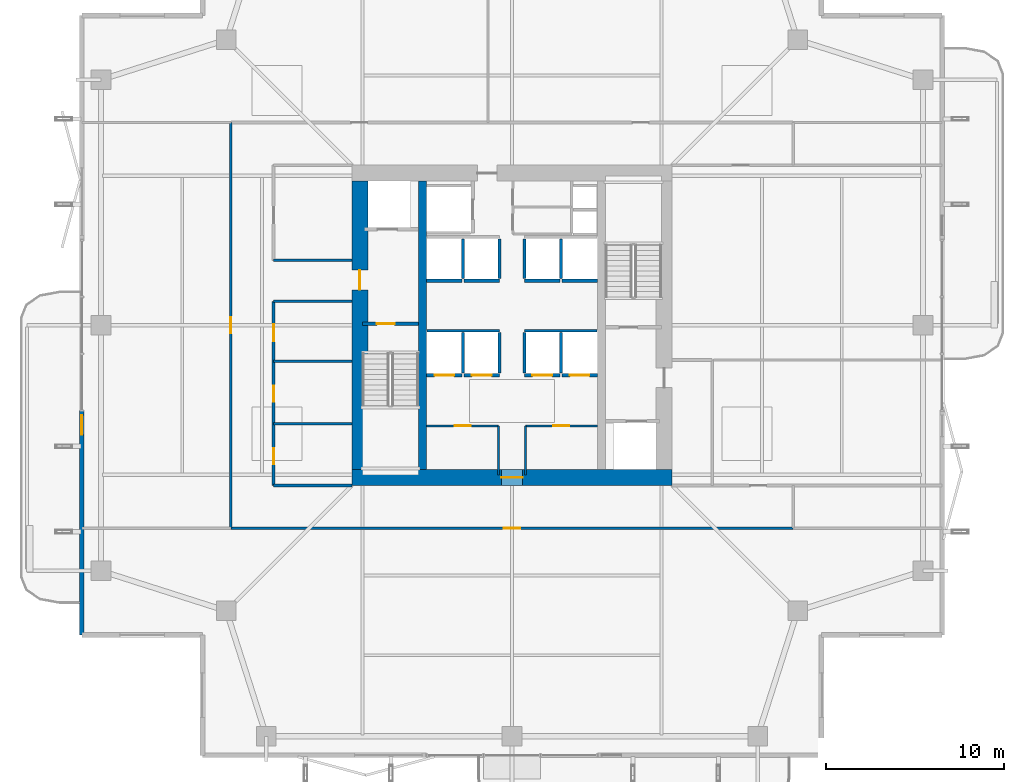
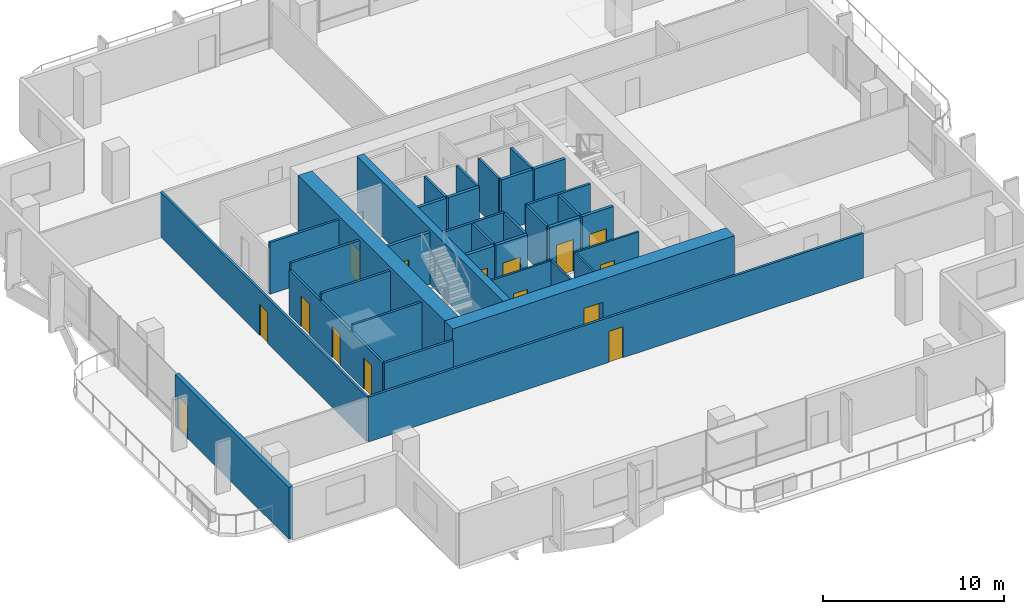
# One storey, part 18 of 25: 35 walls, 15 doors, 15 openings.
"""IFC4 building model written with IfcOpenShell, lengths in metres."""

import ifcopenshell
import ifcopenshell.guid

model = None  # the IFC model being written
_history = None  # IfcOwnerHistory: only IFC2X3 demands one
_inside = {}  # id of a spatial element -> (the spatial element, [elements in it])
_under = {}  # id of a project, library or spatial element -> (it, [spatial elements below it])
_declared = {}  # id of a project -> (the project, [libraries it declares])
_typed = {}  # id of a type object -> (the type object, [elements of that type])
_made_of = {}  # id of a material, layer set ... -> (it, [elements and type objects made of it])


def new_model(schema):
    """Start an empty IFC model of exactly this schema.

    Asked for "IFC4X3", IfcOpenShell would pick the latest addendum, in which some entities
    have other attributes; the version numbers below select the first issue.
    IFC2X3 requires an IfcOwnerHistory on every rooted entity: one is made here for all.
    """
    global model, _history
    if schema == "IFC4X3":
        model = ifcopenshell.file(schema_version=(4, 3, 0, 0))
    else:
        model = ifcopenshell.file(schema=schema)
    _inside.clear()
    _under.clear()
    _declared.clear()
    _typed.clear()
    _made_of.clear()
    _history = None
    if model.schema == "IFC2X3":
        org = make("IfcOrganization", Name="unknown")
        user = make(
            "IfcPersonAndOrganization",
            ThePerson=make("IfcPerson", FamilyName="unknown"),
            TheOrganization=org,
        )
        app = make(
            "IfcApplication",
            ApplicationDeveloper=org,
            Version="unknown",
            ApplicationFullName="unknown",
            ApplicationIdentifier="unknown",
        )
        _history = make(
            "IfcOwnerHistory",
            OwningUser=user,
            OwningApplication=app,
            ChangeAction="ADDED",
            CreationDate=0,
        )
    return model


def make(cls, **values):
    """One entity of the class cls with the attributes given. An attribute that is None is left unset."""
    return model.create_entity(
        cls, **{name: value for name, value in values.items() if value is not None}
    )


def rooted(cls, **values):
    """An entity with a GlobalId (a new one), such as an element, a storey or a relation."""
    return make(cls, GlobalId=ifcopenshell.guid.new(), OwnerHistory=_history, **values)


def si_unit(unit_type, name, prefix=None):
    """IfcSIUnit, for example si_unit("LENGTHUNIT", "METRE", prefix="MILLI")."""
    return make("IfcSIUnit", UnitType=unit_type, Prefix=prefix, Name=name)


def assignment(units):
    """IfcUnitAssignment: the units of a project."""
    return None if units is None else make("IfcUnitAssignment", Units=units)


def point(xyz):
    """IfcCartesianPoint."""
    return None if xyz is None else make("IfcCartesianPoint", Coordinates=xyz)


def direction(xyz):
    """IfcDirection."""
    return None if xyz is None else make("IfcDirection", DirectionRatios=xyz)


def frame(location, z_axis=None, x_axis=None):
    """IfcAxis2Placement3D, a coordinate frame: its origin and axes. An axis left out is left unset."""
    return make(
        "IfcAxis2Placement3D",
        Location=point(location),
        Axis=direction(z_axis),
        RefDirection=direction(x_axis),
    )


def frame_2d(location, x_axis=None):
    """IfcAxis2Placement2D, a coordinate frame in the plane: its origin and x axis."""
    return make(
        "IfcAxis2Placement2D", Location=point(location), RefDirection=direction(x_axis)
    )


def origin():
    """The frame at (0, 0, 0) with its axes left unset."""
    return frame((0.0, 0.0, 0.0))


def place(relative_to, where):
    """IfcLocalPlacement: puts the frame where relative to a parent placement (None: the world)."""
    return make(
        "IfcLocalPlacement", PlacementRelTo=relative_to, RelativePlacement=where
    )


def context(
    kind, dimensions, precision=None, world=None, true_north=None, identifier=None
):
    """IfcGeometricRepresentationContext, for example the 3D "Model" context."""
    return make(
        "IfcGeometricRepresentationContext",
        ContextIdentifier=identifier,
        ContextType=kind,
        CoordinateSpaceDimension=dimensions,
        Precision=precision,
        WorldCoordinateSystem=world,
        TrueNorth=true_north,
    )


def subcontext(parent, identifier, kind, view, scale=None):
    """IfcGeometricRepresentationSubContext, for example "Body" below "Model"."""
    return make(
        "IfcGeometricRepresentationSubContext",
        ContextIdentifier=identifier,
        ContextType=kind,
        ParentContext=parent,
        TargetScale=scale,
        TargetView=view,
    )


def project(units=None, contexts=None):
    """IfcProject with its units and contexts."""
    return rooted(
        "IfcProject",
        Name="project",
        RepresentationContexts=contexts,
        UnitsInContext=assignment(units),
    )


def spatial(cls, under=None, at=None, **own):
    """A site, building, storey or space (cls), placed at a placement, below another one or the project."""
    s = rooted(cls, ObjectPlacement=at, **own)
    if under is not None:
        _under.setdefault(under.id(), (under, []))[1].append(s)
    return s


def profile(cls, at=None, kind="AREA", **sizes):
    """A parametric profile (cls). Its sizes go by their IFC names, for example OverallWidth=200.0."""
    return make(cls, ProfileType=kind, Position=at, **sizes)


def rectangle(**sizes):
    """IfcRectangleProfileDef."""
    return profile("IfcRectangleProfileDef", **sizes)


def extrude(swept, where, along, depth):
    """IfcExtrudedAreaSolid: the profile swept, set in the frame where, extruded along a direction by depth."""
    return make(
        "IfcExtrudedAreaSolid",
        SweptArea=swept,
        Position=where,
        ExtrudedDirection=direction(along),
        Depth=depth,
    )


def shape(context_of_items, identifier, shape_type, items):
    """IfcShapeRepresentation: the items that make up one representation, for example the "Body"."""
    return make(
        "IfcShapeRepresentation",
        ContextOfItems=context_of_items,
        RepresentationIdentifier=identifier,
        RepresentationType=shape_type,
        Items=items,
    )


def material(Name=None, Category=None):
    """IfcMaterial."""
    return make("IfcMaterial", Name=Name, Category=Category)


def layer(
    of_material, thickness, ventilated=None, Name=None, Category=None, Priority=None
):
    """IfcMaterialLayer: one layer of a wall or slab, of a material (None: an air gap)."""
    return make(
        "IfcMaterialLayer",
        Material=of_material,
        LayerThickness=thickness,
        IsVentilated=ventilated,
        Name=Name,
        Category=Category,
        Priority=Priority,
    )


def layer_set(layers, Name=None):
    """IfcMaterialLayerSet."""
    return make("IfcMaterialLayerSet", MaterialLayers=layers, LayerSetName=Name)


def made_of(thing, what):
    """Note that an element or type object is made of a material, layer set ...; save() writes the relation."""
    if what is not None:
        _made_of.setdefault(what.id(), (what, []))[1].append(thing)
    return thing


def type_object(cls, material=None, **own):
    """A type object (cls), such as IfcWallType, which elements share."""
    return made_of(rooted(cls, **own), material)


def element(
    cls,
    number,
    at=None,
    inside=None,
    cuts=None,
    type_object=None,
    material=None,
    context=None,
    identifier="Body",
    shape_type=None,
    held_by="IfcProductDefinitionShape",
    body=None,
    shapes=None,
    **own,
):
    """One element of the class cls, such as IfcWall. Its Tag is "e" and its number.

    at: its placement. inside: the storey or other place that contains it. cuts: it is an
    opening in that element (IfcRelVoidsElement). A single representation is given by context,
    identifier, shape_type and body (its items); several are given by shapes. held_by: the class
    of the entity that holds the representations. save() writes the other relations.
    """
    e = rooted(cls, Tag="e%d" % number, ObjectPlacement=at, **own)
    if body is not None:
        shapes = [shape(context, identifier, shape_type, body)]
    if shapes is not None:
        e.Representation = make(held_by, Representations=shapes)
    if inside is not None:
        _inside.setdefault(inside.id(), (inside, []))[1].append(e)
    if cuts is not None:
        rooted(
            "IfcRelVoidsElement", RelatingBuildingElement=cuts, RelatedOpeningElement=e
        )
    if type_object is not None:
        _typed.setdefault(type_object.id(), (type_object, []))[1].append(e)
    return made_of(e, material)


def fill(opening, filler):
    """IfcRelFillsElement: the door or window that sits in an opening."""
    return rooted(
        "IfcRelFillsElement",
        RelatingOpeningElement=opening,
        RelatedBuildingElement=filler,
    )


def aggregate(whole, parts):
    """IfcRelAggregates: a whole, such as a stair, and the parts it consists of."""
    return rooted("IfcRelAggregates", RelatingObject=whole, RelatedObjects=parts)


def save(model, path):
    """Write the relations noted so far, then the file.

    IfcRelAggregates (storeys below a building ...), IfcRelContainedInSpatialStructure (elements
    in a storey), IfcRelDefinesByType, IfcRelAssociatesMaterial and IfcRelDeclares: one each for
    every whole, place, type object, material and project.
    """
    for whole, parts in _under.values():
        aggregate(whole, parts)
    for where, things in _inside.values():
        rooted(
            "IfcRelContainedInSpatialStructure",
            RelatedElements=things,
            RelatingStructure=where,
        )
    for kind, things in _typed.values():
        rooted("IfcRelDefinesByType", RelatedObjects=things, RelatingType=kind)
    for what, things in _made_of.values():
        rooted("IfcRelAssociatesMaterial", RelatedObjects=things, RelatingMaterial=what)
    for by, libraries in _declared.values():
        rooted("IfcRelDeclares", RelatingContext=by, RelatedDefinitions=libraries)
    model.write(path)


model = new_model("IFC4")

# Units and contexts
model_context = context("Model", 3, precision=1e-05, world=origin(), true_north=direction((0.0, 1.0)))
body_context = subcontext(model_context, "Body", "Model", "MODEL_VIEW")
ifc_project = project(units=[si_unit("LENGTHUNIT", "METRE"), si_unit("AREAUNIT", "SQUARE_METRE"), si_unit("VOLUMEUNIT", "CUBIC_METRE"), si_unit("PLANEANGLEUNIT", "RADIAN"), si_unit("MASSUNIT", "GRAM", prefix="KILO")], contexts=[model_context])

# Site, building, storey
site_placement = place(None, origin())
site = spatial("IfcSite", under=ifc_project, at=site_placement, CompositionType="ELEMENT")
building_placement = place(site_placement, origin())
building = spatial("IfcBuilding", under=site, at=building_placement, Name="Belovzor Exchange Tower", CompositionType="ELEMENT")
storey_placement = place(building_placement, frame((0.0, 0.0, 175.800048828125)))
storey = spatial("IfcBuildingStorey", under=building, at=storey_placement, Name="L43", CompositionType="ELEMENT", Elevation=175.800048828125)

# Wall, opening, door
ifc_material_1 = material(Name="Fire-Rated Plasterboard on Galvanised Studs", Category="gypsum")
ifc_layer_1 = layer(ifc_material_1, 0.1201171875)
ifc_layer_set_1 = layer_set([ifc_layer_1], Name="Fire-Rated Plasterboard on Galvanised Studs")
wall_type_1 = type_object("IfcWallType", Name="Fire-Rated Double-Stud Partition Wall 120", PredefinedType="PARTITIONING", material=ifc_layer_set_1)
wall_1_placement = place(storey_placement, frame((24.0, 23.14990234375, 0.0), z_axis=(0.0, 0.0, 1.0), x_axis=(1.0, 0.0, 0.0)))
wall_1 = element("IfcWall", 1, at=wall_1_placement, inside=storey, type_object=wall_type_1, Name="W-P120F Partition Wall W-CRL-L43-WN", PredefinedType="PARTITIONING", context=body_context, shape_type="SweptSolid", body=[
    extrude(rectangle(XDim=4.050048828125, YDim=0.1201171875, at=frame_2d((2.02490234375, 0.0))), origin(), (0.0, 0.0, 1.0), 3.494873046875),
])
opening_1_placement = place(wall_1_placement, frame((1.574951171875, 0.0, 0.0)))
opening_1 = element("IfcOpeningElement", 2, at=opening_1_placement, cuts=wall_1, Name="Opening D-FD60-090", PredefinedType="OPENING", context=body_context, shape_type="SweptSolid", body=[
    extrude(rectangle(XDim=0.89990234375, YDim=2.10009765625, at=frame_2d((0.449951171875, 1.050048828125))), frame((0.0, 0.070068359375, 0.0), z_axis=(0.0, -1.0, 0.0), x_axis=(1.0, 0.0, 0.0)), (0.0, 0.0, 1.0), 0.14013671875),
])
ifc_material_2 = material(Name="Acoustic Timber Fire Leaf", Category="wood")
door_type_1 = type_object("IfcDoorType", Name="Core Service & Restroom Fire Door 900x2100", OperationType="NOTDEFINED", PredefinedType="DOOR", material=ifc_material_2)
door_1_placement = place(opening_1_placement, origin())
door_1 = element("IfcDoor", 3, at=door_1_placement, inside=storey, type_object=door_type_1, Name="D-FD60-090 Core Service & Restroom Fire Door 900x2100", OperationType="SINGLE_SWING_LEFT", OverallHeight=2.10009765625, OverallWidth=0.89990234375, PredefinedType="DOOR", context=body_context, shape_type="SweptSolid", body=[
    extrude(rectangle(XDim=0.89990234375, YDim=2.10009765625, at=frame_2d((0.449951171875, 1.050048828125))), frame((0.0, 0.02490234375, 0.0), z_axis=(0.0, -1.0, 0.0), x_axis=(1.0, 0.0, 0.0)), (0.0, 0.0, 1.0), 0.050048828125),
])
fill(opening_1, door_1)

# Wall
wall_2_placement = place(storey_placement, frame((28.050048828125, 20.39990234375, 0.0), z_axis=(0.0, 0.0, 1.0), x_axis=(0.0, 1.0, 0.0)))
element("IfcWall", 4, at=wall_2_placement, inside=storey, type_object=wall_type_1, Name="W-P120F Partition Wall W-CRL-L43-WE", PredefinedType="PARTITIONING", context=body_context, shape_type="SweptSolid", body=[
    extrude(rectangle(XDim=2.75, YDim=0.1201171875, at=frame_2d((1.375, 0.0))), origin(), (0.0, 0.0, 1.0), 3.494873046875),
])

# Wall, opening, door
wall_3_placement = place(storey_placement, frame((29.550048828125, 23.14990234375, 0.0), z_axis=(0.0, 0.0, 1.0), x_axis=(1.0, 0.0, 0.0)))
wall_3 = element("IfcWall", 5, at=wall_3_placement, inside=storey, type_object=wall_type_1, Name="W-P120F Partition Wall W-CRL-L43-EN", PredefinedType="PARTITIONING", context=body_context, shape_type="SweptSolid", body=[
    extrude(rectangle(XDim=4.050048828125, YDim=0.1201171875, at=frame_2d((2.02490234375, 0.0))), origin(), (0.0, 0.0, 1.0), 3.494873046875),
])
opening_2_placement = place(wall_3_placement, frame((1.574951171875, 0.0, 0.0)))
opening_2 = element("IfcOpeningElement", 6, at=opening_2_placement, cuts=wall_3, Name="Opening D-FD60-090", PredefinedType="OPENING", context=body_context, shape_type="SweptSolid", body=[
    extrude(rectangle(XDim=0.89990234375, YDim=2.10009765625, at=frame_2d((0.449951171875, 1.050048828125))), frame((0.0, 0.070068359375, 0.0), z_axis=(0.0, -1.0, 0.0), x_axis=(1.0, 0.0, 0.0)), (0.0, 0.0, 1.0), 0.14013671875),
])
door_2_placement = place(opening_2_placement, origin())
door_2 = element("IfcDoor", 7, at=door_2_placement, inside=storey, type_object=door_type_1, Name="D-FD60-090 Core Service & Restroom Fire Door 900x2100", OperationType="SINGLE_SWING_RIGHT", OverallHeight=2.10009765625, OverallWidth=0.89990234375, PredefinedType="DOOR", context=body_context, shape_type="SweptSolid", body=[
    extrude(rectangle(XDim=0.89990234375, YDim=2.10009765625, at=frame_2d((0.449951171875, 1.050048828125))), frame((0.0, 0.02490234375, 0.0), z_axis=(0.0, -1.0, 0.0), x_axis=(1.0, 0.0, 0.0)), (0.0, 0.0, 1.0), 0.050048828125),
])
fill(opening_2, door_2)

# Walls
wall_4_placement = place(storey_placement, frame((29.550048828125, 20.39990234375, 0.0), z_axis=(0.0, 0.0, 1.0), x_axis=(0.0, 1.0, 0.0)))
element("IfcWall", 8, at=wall_4_placement, inside=storey, type_object=wall_type_1, Name="W-P120F Partition Wall W-CRL-L43-EW", PredefinedType="PARTITIONING", context=body_context, shape_type="SweptSolid", body=[
    extrude(rectangle(XDim=2.75, YDim=0.1201171875, at=frame_2d((1.375, 0.0))), origin(), (0.0, 0.0, 1.0), 3.494873046875),
])
ifc_material_3 = material(Name="Fire-Rated Gypsum Block and Mineral Wool", Category="gypsum")
ifc_layer_2 = layer(ifc_material_3, 0.14990234375)
ifc_layer_set_2 = layer_set([ifc_layer_2], Name="Fire-Rated Gypsum Block and Mineral Wool")
wall_type_2 = type_object("IfcWallType", Name="Fire-Rated Gypsum Block Corridor Wall 150", PredefinedType="PARTITIONING", material=ifc_layer_set_2)
wall_5_placement = place(storey_placement, frame((15.39990234375, 19.800048828125, 0.0), z_axis=(0.0, 0.0, 1.0), x_axis=(1.0, 0.0, 0.0)))
element("IfcWall", 9, at=wall_5_placement, inside=storey, type_object=wall_type_2, Name="W-P150 Partition Wall W-L43-WIC-S", PredefinedType="PARTITIONING", context=body_context, shape_type="SweptSolid", body=[
    extrude(rectangle(XDim=4.400146484375, YDim=0.14990234375, at=frame_2d((2.2001953125, 0.0))), origin(), (0.0, 0.0, 1.0), 3.030029296875),
])
for number, where, z_axis, x_axis, name in (
    (10, (15.39990234375, 23.27490234375, 0.0), (0.0, 0.0, 1.0), (1.0, 0.0, 0.0), "W-P150 Partition Wall W-L43-WIC-D1"),
    (11, (15.39990234375, 26.77490234375, 0.0), (0.0, 0.0, 1.0), (1.0, 0.0, 0.0), "W-P150 Partition Wall W-L43-WIC-D2"),
    (12, (15.39990234375, 30.14990234375, 0.0), (0.0, 0.0, 1.0), (1.0, 0.0, 0.0), "W-P150 Partition Wall W-L43-WIC-N"),
    (13, (15.39990234375, 32.449951171875, 0.0), (0.0, 0.0, 1.0), (1.0, 0.0, 0.0), "W-P150 Partition Wall W-L43-CFW-N"),
):
    element("IfcWall", number, at=place(storey_placement, frame(where, z_axis=z_axis, x_axis=x_axis)), inside=storey, type_object=wall_type_2, Name=name, PredefinedType="PARTITIONING", context=body_context, shape_type="SweptSolid", body=[
        extrude(rectangle(XDim=4.400146484375, YDim=0.14990234375, at=frame_2d((2.2001953125, 0.0))), origin(), (0.0, 0.0, 1.0), 3.494873046875),
    ])

# Wall, openings, doors
wall_6_placement = place(storey_placement, frame((15.39990234375, 19.800048828125, 0.0), z_axis=(0.0, 0.0, 1.0), x_axis=(0.0, 1.0, 0.0)))
wall_6 = element("IfcWall", 14, at=wall_6_placement, inside=storey, type_object=wall_type_2, Name="W-P150 Partition Wall W-L43-WIE-S", PredefinedType="PARTITIONING", context=body_context, shape_type="SweptSolid", body=[
    extrude(rectangle(XDim=10.349853515625, YDim=0.14990234375, at=frame_2d((5.1748046875, 0.0))), origin(), (0.0, 0.0, 1.0), 3.030029296875),
])
opening_3_placement = place(wall_6_placement, frame((1.199951171875, 0.0, 0.0)))
opening_3 = element("IfcOpeningElement", 15, at=opening_3_placement, cuts=wall_6, Name="Opening D-FD60-090", PredefinedType="OPENING", context=body_context, shape_type="SweptSolid", body=[
    extrude(rectangle(XDim=0.89990234375, YDim=2.10009765625, at=frame_2d((0.449951171875, 1.050048828125))), frame((0.0, 0.0849609375, 0.0), z_axis=(0.0, -1.0, 0.0), x_axis=(1.0, 0.0, 0.0)), (0.0, 0.0, 1.0), 0.169921875),
])
opening_4_placement = place(wall_6_placement, frame((4.699951171875, 0.0, 0.0)))
opening_4 = element("IfcOpeningElement", 16, at=opening_4_placement, cuts=wall_6, Name="Opening D-FD60-090", PredefinedType="OPENING", context=body_context, shape_type="SweptSolid", body=[
    extrude(rectangle(XDim=0.89990234375, YDim=2.10009765625, at=frame_2d((0.449951171875, 1.050048828125))), frame((0.0, 0.0849609375, 0.0), z_axis=(0.0, -1.0, 0.0), x_axis=(1.0, 0.0, 0.0)), (0.0, 0.0, 1.0), 0.169921875),
])
opening_5_placement = place(wall_6_placement, frame((8.10009765625, 0.0, 0.0)))
opening_5 = element("IfcOpeningElement", 17, at=opening_5_placement, cuts=wall_6, Name="Opening D-FD60-095", PredefinedType="OPENING", context=body_context, shape_type="SweptSolid", body=[
    extrude(rectangle(XDim=0.949951171875, YDim=2.10009765625, at=frame_2d((0.47509765625, 1.050048828125))), frame((0.0, 0.0849609375, 0.0), z_axis=(0.0, -1.0, 0.0), x_axis=(1.0, 0.0, 0.0)), (0.0, 0.0, 1.0), 0.169921875),
])
ifc_material_4 = material(Name="Moisture-Resistant Timber Fire Leaf", Category="wood")
door_type_2 = type_object("IfcDoorType", Name="Accessible Restroom Wide Fire Door 950x2100", OperationType="NOTDEFINED", PredefinedType="DOOR", material=ifc_material_4)
door_3_placement = place(opening_5_placement, origin())
door_3 = element("IfcDoor", 18, at=door_3_placement, inside=storey, type_object=door_type_2, Name="D-FD60-095 Accessible Restroom Wide Fire Door 950x2100", OperationType="SINGLE_SWING_LEFT", OverallHeight=2.10009765625, OverallWidth=0.949951171875, PredefinedType="DOOR", context=body_context, shape_type="SweptSolid", body=[
    extrude(rectangle(XDim=0.949951171875, YDim=2.10009765625, at=frame_2d((0.47509765625, 1.050048828125))), frame((0.0, 0.02490234375, 0.0), z_axis=(0.0, -1.0, 0.0), x_axis=(1.0, 0.0, 0.0)), (0.0, 0.0, 1.0), 0.050048828125),
])
fill(opening_5, door_3)
door_4_placement = place(opening_3_placement, origin())
door_4 = element("IfcDoor", 19, at=door_4_placement, inside=storey, type_object=door_type_1, Name="D-FD60-090 Core Service & Restroom Fire Door 900x2100", OperationType="SINGLE_SWING_LEFT", OverallHeight=2.10009765625, OverallWidth=0.89990234375, PredefinedType="DOOR", context=body_context, shape_type="SweptSolid", body=[
    extrude(rectangle(XDim=0.89990234375, YDim=2.10009765625, at=frame_2d((0.449951171875, 1.050048828125))), frame((0.0, 0.02490234375, 0.0), z_axis=(0.0, -1.0, 0.0), x_axis=(1.0, 0.0, 0.0)), (0.0, 0.0, 1.0), 0.050048828125),
])
fill(opening_3, door_4)
door_5_placement = place(opening_4_placement, origin())
door_5 = element("IfcDoor", 20, at=door_5_placement, inside=storey, type_object=door_type_1, Name="D-FD60-090 Core Service & Restroom Fire Door 900x2100", OperationType="SINGLE_SWING_RIGHT", OverallHeight=2.10009765625, OverallWidth=0.89990234375, PredefinedType="DOOR", context=body_context, shape_type="SweptSolid", body=[
    extrude(rectangle(XDim=0.89990234375, YDim=2.10009765625, at=frame_2d((0.449951171875, 1.050048828125))), frame((0.0, 0.02490234375, 0.0), z_axis=(0.0, -1.0, 0.0), x_axis=(1.0, 0.0, 0.0)), (0.0, 0.0, 1.0), 0.050048828125),
])
fill(opening_4, door_5)

# Wall, opening, door
wall_7_placement = place(storey_placement, frame((13.0, 17.39990234375, 0.0), z_axis=(0.0, 0.0, 1.0), x_axis=(1.0, 0.0, 0.0)))
wall_7 = element("IfcWall", 21, at=wall_7_placement, inside=storey, type_object=wall_type_2, Name="W-P150 Partition Wall W-L43-CS", PredefinedType="PARTITIONING", context=body_context, shape_type="SweptSolid", body=[
    extrude(rectangle(XDim=31.60009765625, YDim=0.14990234375, at=frame_2d((15.800048828125, 0.0))), origin(), (0.0, 0.0, 1.0), 3.030029296875),
])
opening_6_placement = place(wall_7_placement, frame((15.35009765625, 0.0, 0.0)))
opening_6 = element("IfcOpeningElement", 22, at=opening_6_placement, cuts=wall_7, Name="Opening D-INT-090", PredefinedType="OPENING", context=body_context, shape_type="SweptSolid", body=[
    extrude(rectangle(XDim=0.89990234375, YDim=2.10009765625, at=frame_2d((0.449951171875, 1.050048828125))), frame((0.0, 0.0849609375, 0.0), z_axis=(0.0, -1.0, 0.0), x_axis=(1.0, 0.0, 0.0)), (0.0, 0.0, 1.0), 0.169921875),
])
ifc_material_5 = material(Name="Veneered Hardwood Acoustic Leaf", Category="wood")
door_type_3 = type_object("IfcDoorType", Name="Trading Suite Acoustic Single Door 900x2100", OperationType="NOTDEFINED", PredefinedType="DOOR", material=ifc_material_5)
door_6_placement = place(opening_6_placement, origin())
door_6 = element("IfcDoor", 23, at=door_6_placement, inside=storey, type_object=door_type_3, Name="D-INT-090 Trading Suite Acoustic Single Door 900x2100", OperationType="SINGLE_SWING_LEFT", OverallHeight=2.10009765625, OverallWidth=0.89990234375, PredefinedType="DOOR", context=body_context, shape_type="SweptSolid", body=[
    extrude(rectangle(XDim=0.89990234375, YDim=2.10009765625, at=frame_2d((0.449951171875, 1.050048828125))), frame((0.0, 0.02490234375, 0.0), z_axis=(0.0, -1.0, 0.0), x_axis=(1.0, 0.0, 0.0)), (0.0, 0.0, 1.0), 0.050048828125),
])
fill(opening_6, door_6)

wall_8_placement = place(storey_placement, frame((13.0, 17.39990234375, 0.0), z_axis=(0.0, 0.0, 1.0), x_axis=(0.0, 1.0, 0.0)))
wall_8 = element("IfcWall", 24, at=wall_8_placement, inside=storey, type_object=wall_type_2, Name="W-P150 Partition Wall W-L43-CWO", PredefinedType="PARTITIONING", context=body_context, shape_type="SweptSolid", body=[
    extrude(rectangle(XDim=22.800048828125, YDim=0.14990234375, at=frame_2d((11.39990234375, 0.0))), origin(), (0.0, 0.0, 1.0), 3.030029296875),
])
opening_7_placement = place(wall_8_placement, frame((10.949951171875, 0.0, 0.0)))
opening_7 = element("IfcOpeningElement", 25, at=opening_7_placement, cuts=wall_8, Name="Opening D-INT-090", PredefinedType="OPENING", context=body_context, shape_type="SweptSolid", body=[
    extrude(rectangle(XDim=0.89990234375, YDim=2.10009765625, at=frame_2d((0.449951171875, 1.050048828125))), frame((0.0, 0.0849609375, 0.0), z_axis=(0.0, -1.0, 0.0), x_axis=(1.0, 0.0, 0.0)), (0.0, 0.0, 1.0), 0.169921875),
])
door_7_placement = place(opening_7_placement, origin())
door_7 = element("IfcDoor", 26, at=door_7_placement, inside=storey, type_object=door_type_3, Name="D-INT-090 Trading Suite Acoustic Single Door 900x2100", OperationType="SINGLE_SWING_LEFT", OverallHeight=2.10009765625, OverallWidth=0.89990234375, PredefinedType="DOOR", context=body_context, shape_type="SweptSolid", body=[
    extrude(rectangle(XDim=0.89990234375, YDim=2.10009765625, at=frame_2d((0.449951171875, 1.050048828125))), frame((0.0, 0.02490234375, 0.0), z_axis=(0.0, -1.0, 0.0), x_axis=(1.0, 0.0, 0.0)), (0.0, 0.0, 1.0), 0.050048828125),
])
fill(opening_7, door_7)

ifc_material_6 = material(Name="Precast concrete C40/50", Category="concrete")
ifc_layer_3 = layer(ifc_material_6, 0.260009765625)
ifc_layer_set_3 = layer_set([ifc_layer_3], Name="Precast concrete C40/50")
wall_type_3 = type_object("IfcWallType", Name="Precast Concrete Perimeter Loggia Frame Wall 260", PredefinedType="SOLIDWALL", material=ifc_layer_set_3)
wall_9_placement = place(storey_placement, frame((4.6298828125, 11.39990234375, 0.0), z_axis=(0.0, 0.0, 1.0), x_axis=(0.0, 1.0, 0.0)))
wall_9 = element("IfcWall", 27, at=wall_9_placement, inside=storey, type_object=wall_type_3, Name="W-EXT260 Precast Concrete Perimeter Loggia Frame Wall 260 L43", PredefinedType="SOLIDWALL", context=body_context, shape_type="SweptSolid", body=[
    extrude(rectangle(XDim=12.60009765625, YDim=0.260009765625, at=frame_2d((6.300048828125, 0.0))), origin(), (0.0, 0.0, 1.0), 3.494873046875),
])
opening_8_placement = place(wall_9_placement, frame((11.25, 0.0, 0.0)))
opening_8 = element("IfcOpeningElement", 28, at=opening_8_placement, cuts=wall_9, Name="Opening D-BAL110", PredefinedType="OPENING", context=body_context, shape_type="SweptSolid", body=[
    extrude(rectangle(XDim=1.10009765625, YDim=2.199951171875, at=frame_2d((0.550048828125, 1.10009765625))), frame((0.0, 0.139892578125, 0.0), z_axis=(0.0, -1.0, 0.0), x_axis=(1.0, 0.0, 0.0)), (0.0, 0.0, 1.0), 0.280029296875),
])
ifc_material_7 = material(Name="Thermally Broken Anodised Aluminium and Laminated Glass", Category="aluminium")
door_type_4 = type_object("IfcDoorType", Name="Planted Loggia Terrace Glazed Door 1100x2200", OperationType="SINGLE_SWING_LEFT", PredefinedType="DOOR", material=ifc_material_7)
door_8_placement = place(opening_8_placement, origin())
door_8 = element("IfcDoor", 29, at=door_8_placement, inside=storey, type_object=door_type_4, Name="D-BAL110 Balcony Terrace Door L43 W", OperationType="SINGLE_SWING_RIGHT", OverallHeight=2.199951171875, OverallWidth=1.10009765625, PredefinedType="DOOR", context=body_context, shape_type="SweptSolid", body=[
    extrude(rectangle(XDim=1.10009765625, YDim=2.199951171875, at=frame_2d((0.550048828125, 1.10009765625))), frame((0.0, 0.02490234375, 0.0), z_axis=(0.0, -1.0, 0.0), x_axis=(1.0, 0.0, 0.0)), (0.0, 0.0, 1.0), 0.050048828125),
])
fill(opening_8, door_8)

# Walls
ifc_material_8 = material(Name="Concrete C50/60", Category="concrete")
ifc_layer_4 = layer(ifc_material_8, 0.449951171875)
ifc_layer_set_4 = layer_set([ifc_layer_4], Name="Concrete C50/60")
wall_type_4 = type_object("IfcWallType", Name="Reinforced Concrete Core Internal Web Wall 450", PredefinedType="SHEAR", material=ifc_layer_set_4)
wall_10_placement = place(storey_placement, frame((23.77490234375, 20.699951171875, 0.0), z_axis=(0.0, 0.0, 1.0), x_axis=(0.0, 1.0, 0.0)))
element("IfcWall", 30, at=wall_10_placement, inside=storey, type_object=wall_type_4, Name="CW-W045 Core Internal Web Wall L43 WL", PredefinedType="SHEAR", context=body_context, shape_type="SweptSolid", body=[
    extrude(rectangle(XDim=16.199951171875, YDim=0.449951171875, at=frame_2d((8.10009765625, 0.0))), origin(), (0.0, 0.0, 1.0), 3.75),
])
ifc_material_9 = material(Name="Concrete C50/60", Category="concrete")
ifc_layer_5 = layer(ifc_material_9, 0.14990234375)
ifc_layer_set_5 = layer_set([ifc_layer_5], Name="Concrete C50/60")
wall_type_5 = type_object("IfcWallType", Name="Reinforced Concrete Core Riser Shear Wall 150", PredefinedType="SHEAR", material=ifc_layer_set_5)
for number, where, z_axis, x_axis, name in (
    (31, (24.02001953125, 28.5, 0.0), (0.0, 0.0, 1.0), (1.0, 0.0, 0.0), "W-C150S Core Shaft Wall W-SHB-L43-PLM-NW"),
    (32, (29.5, 28.5, 0.0), (0.0, 0.0, 1.0), (1.0, 0.0, 0.0), "W-C150S Core Shaft Wall W-SHB-L43-PLM-NE"),
):
    element("IfcWall", number, at=place(storey_placement, frame(where, z_axis=z_axis, x_axis=x_axis)), inside=storey, type_object=wall_type_5, Name=name, PredefinedType="SHEAR", context=body_context, shape_type="SweptSolid", body=[
        extrude(rectangle(XDim=4.080078125, YDim=0.14990234375, at=frame_2d((2.0400390625, 0.0))), origin(), (0.0, 0.0, 1.0), 3.494873046875),
    ])
for number, where, z_axis, x_axis, name in (
    (33, (26.050048828125, 26.1201171875, 0.0), (0.0, 0.0, 1.0), (0.0, 1.0, 0.0), "W-C150S Core Shaft Wall W-SHD-L43-PLM-1"),
    (34, (28.10009765625, 26.1201171875, 0.0), (0.0, 0.0, 1.0), (0.0, 1.0, 0.0), "W-C150S Core Shaft Wall W-SHD-L43-PLM-2"),
    (35, (29.5, 26.1201171875, 0.0), (0.0, 0.0, 1.0), (0.0, 1.0, 0.0), "W-C150S Core Shaft Wall W-SHD-L43-PLM-3"),
    (36, (31.550048828125, 26.1201171875, 0.0), (0.0, 0.0, 1.0), (0.0, 1.0, 0.0), "W-C150S Core Shaft Wall W-SHD-L43-PLM-4"),
):
    element("IfcWall", number, at=place(storey_placement, frame(where, z_axis=z_axis, x_axis=x_axis)), inside=storey, type_object=wall_type_5, Name=name, PredefinedType="SHEAR", context=body_context, shape_type="SweptSolid", body=[
        extrude(rectangle(XDim=2.27978515625, YDim=0.14990234375, at=frame_2d((1.139892578125, 0.0))), origin(), (0.0, 0.0, 1.0), 3.494873046875),
    ])
for number, where, z_axis, x_axis, name in (
    (37, (26.050048828125, 31.419921875, 0.0), (0.0, 0.0, 1.0), (0.0, 1.0, 0.0), "W-C150S Core Shaft Wall W-SHD-L43-PLH-1"),
    (38, (28.10009765625, 31.419921875, 0.0), (0.0, 0.0, 1.0), (0.0, 1.0, 0.0), "W-C150S Core Shaft Wall W-SHD-L43-PLH-2"),
    (39, (29.5, 31.419921875, 0.0), (0.0, 0.0, 1.0), (0.0, 1.0, 0.0), "W-C150S Core Shaft Wall W-SHD-L43-PLH-3"),
    (40, (31.550048828125, 31.419921875, 0.0), (0.0, 0.0, 1.0), (0.0, 1.0, 0.0), "W-C150S Core Shaft Wall W-SHD-L43-PLH-4"),
):
    element("IfcWall", number, at=place(storey_placement, frame(where, z_axis=z_axis, x_axis=x_axis)), inside=storey, type_object=wall_type_5, Name=name, PredefinedType="SHEAR", context=body_context, shape_type="SweptSolid", body=[
        extrude(rectangle(XDim=2.239990234375, YDim=0.14990234375, at=frame_2d((1.1201171875, 0.0))), origin(), (0.0, 0.0, 1.0), 3.494873046875),
    ])

# Wall, opening, door
ifc_material_10 = material(Name="Concrete C50/60", Category="concrete")
ifc_layer_6 = layer(ifc_material_10, 0.199951171875)
ifc_layer_set_6 = layer_set([ifc_layer_6], Name="Concrete C50/60")
wall_type_6 = type_object("IfcWallType", Name="Reinforced Concrete Core Shaft Shear Wall 200", PredefinedType="SHEAR", material=ifc_layer_set_6)
wall_11_placement = place(storey_placement, frame((20.39990234375, 28.89990234375, 0.0), z_axis=(0.0, 0.0, 1.0), x_axis=(1.0, 0.0, 0.0)))
wall_11 = element("IfcWall", 41, at=wall_11_placement, inside=storey, type_object=wall_type_6, Name="W-C200S Core Shaft Wall W-CORE-L43-FFLW1", PredefinedType="SHEAR", context=body_context, shape_type="SweptSolid", body=[
    extrude(rectangle(XDim=3.150146484375, YDim=0.199951171875, at=frame_2d((1.5751953125, 0.0))), origin(), (0.0, 0.0, 1.0), 3.494873046875),
])
opening_9_placement = place(wall_11_placement, frame((0.800048828125, 0.0, 0.0)))
opening_9 = element("IfcOpeningElement", 42, at=opening_9_placement, cuts=wall_11, Name="Opening D-FD90-100", PredefinedType="OPENING", context=body_context, shape_type="SweptSolid", body=[
    extrude(rectangle(XDim=1.0, YDim=2.10009765625, at=frame_2d((0.5, 1.050048828125))), frame((0.0, 0.10986328125, 0.0), z_axis=(0.0, -1.0, 0.0), x_axis=(1.0, 0.0, 0.0)), (0.0, 0.0, 1.0), 0.219970703125),
])
ifc_material_11 = material(Name="Fire-Rated Galvanised Steel Leaf", Category="steel")
door_type_5 = type_object("IfcDoorType", Name="Protected Stairwell Single Fire Door 1000x2100", OperationType="NOTDEFINED", PredefinedType="DOOR", material=ifc_material_11)
door_9_placement = place(opening_9_placement, origin())
door_9 = element("IfcDoor", 43, at=door_9_placement, inside=storey, type_object=door_type_5, Name="D-FD90-100 Protected Stairwell Single Fire Door 1000x2100", OperationType="SINGLE_SWING_RIGHT", OverallHeight=2.10009765625, OverallWidth=1.0, PredefinedType="DOOR", context=body_context, shape_type="SweptSolid", body=[
    extrude(rectangle(XDim=1.0, YDim=2.10009765625, at=frame_2d((0.5, 1.050048828125))), frame((0.0, 0.02490234375, 0.0), z_axis=(0.0, -1.0, 0.0), x_axis=(1.0, 0.0, 0.0)), (0.0, 0.0, 1.0), 0.050048828125),
])
fill(opening_9, door_9)

wall_12_placement = place(storey_placement, frame((24.0, 26.0, 0.0), z_axis=(0.0, 0.0, 1.0), x_axis=(1.0, 0.0, 0.0)))
wall_12 = element("IfcWall", 44, at=wall_12_placement, inside=storey, type_object=wall_type_6, Name="W-C200S Core Shaft Wall W-SH-L43-PL-M1", PredefinedType="SHEAR", context=body_context, shape_type="SweptSolid", body=[
    extrude(rectangle(XDim=2.0, YDim=0.199951171875, at=frame_2d((1.0, 0.0))), origin(), (0.0, 0.0, 1.0), 3.494873046875),
])
opening_10_placement = place(wall_12_placement, frame((0.449951171875, 0.0, 0.0)))
opening_10 = element("IfcOpeningElement", 45, at=opening_10_placement, cuts=wall_12, Name="Opening LD-110", PredefinedType="OPENING", context=body_context, shape_type="SweptSolid", body=[
    extrude(rectangle(XDim=1.10009765625, YDim=2.14990234375, at=frame_2d((0.550048828125, 1.074951171875))), frame((0.0, 0.10986328125, 0.0), z_axis=(0.0, -1.0, 0.0), x_axis=(1.0, 0.0, 0.0)), (0.0, 0.0, 1.0), 0.219970703125),
])
ifc_material_12 = material(Name="Stainless Steel Grade 304", Category="steel")
door_type_6 = type_object("IfcDoorType", Name="Automated Stainless Steel Lift Landing Door 1100x2150", OperationType="SLIDING_TO_RIGHT", PredefinedType="DOOR", material=ifc_material_12)
door_10_placement = place(opening_10_placement, origin())
door_10 = element("IfcDoor", 46, at=door_10_placement, inside=storey, type_object=door_type_6, Name="LD-110 Automated Stainless Steel Lift Landing Door 1100x2150", OperationType="SLIDING_TO_RIGHT", OverallHeight=2.14990234375, OverallWidth=1.10009765625, PredefinedType="DOOR", context=body_context, shape_type="SweptSolid", body=[
    extrude(rectangle(XDim=1.10009765625, YDim=2.14990234375, at=frame_2d((0.550048828125, 1.074951171875))), frame((0.0, 0.02490234375, 0.0), z_axis=(0.0, -1.0, 0.0), x_axis=(1.0, 0.0, 0.0)), (0.0, 0.0, 1.0), 0.050048828125),
])
fill(opening_10, door_10)

wall_13_placement = place(storey_placement, frame((26.10009765625, 26.0, 0.0), z_axis=(0.0, 0.0, 1.0), x_axis=(1.0, 0.0, 0.0)))
wall_13 = element("IfcWall", 47, at=wall_13_placement, inside=storey, type_object=wall_type_6, Name="W-C200S Core Shaft Wall W-SH-L43-PL-M2", PredefinedType="SHEAR", context=body_context, shape_type="SweptSolid", body=[
    extrude(rectangle(XDim=2.0, YDim=0.199951171875, at=frame_2d((1.0, 0.0))), origin(), (0.0, 0.0, 1.0), 3.494873046875),
])
opening_11_placement = place(wall_13_placement, frame((0.449951171875, 0.0, 0.0)))
opening_11 = element("IfcOpeningElement", 48, at=opening_11_placement, cuts=wall_13, Name="Opening LD-110", PredefinedType="OPENING", context=body_context, shape_type="SweptSolid", body=[
    extrude(rectangle(XDim=1.10009765625, YDim=2.14990234375, at=frame_2d((0.550048828125, 1.074951171875))), frame((0.0, 0.10986328125, 0.0), z_axis=(0.0, -1.0, 0.0), x_axis=(1.0, 0.0, 0.0)), (0.0, 0.0, 1.0), 0.219970703125),
])
door_11_placement = place(opening_11_placement, origin())
door_11 = element("IfcDoor", 49, at=door_11_placement, inside=storey, type_object=door_type_6, Name="LD-110 Automated Stainless Steel Lift Landing Door 1100x2150", OperationType="SLIDING_TO_RIGHT", OverallHeight=2.14990234375, OverallWidth=1.10009765625, PredefinedType="DOOR", context=body_context, shape_type="SweptSolid", body=[
    extrude(rectangle(XDim=1.10009765625, YDim=2.14990234375, at=frame_2d((0.550048828125, 1.074951171875))), frame((0.0, 0.02490234375, 0.0), z_axis=(0.0, -1.0, 0.0), x_axis=(1.0, 0.0, 0.0)), (0.0, 0.0, 1.0), 0.050048828125),
])
fill(opening_11, door_11)

wall_14_placement = place(storey_placement, frame((29.5, 26.0, 0.0), z_axis=(0.0, 0.0, 1.0), x_axis=(1.0, 0.0, 0.0)))
wall_14 = element("IfcWall", 50, at=wall_14_placement, inside=storey, type_object=wall_type_6, Name="W-C200S Core Shaft Wall W-SH-L43-PL-M3", PredefinedType="SHEAR", context=body_context, shape_type="SweptSolid", body=[
    extrude(rectangle(XDim=2.0, YDim=0.199951171875, at=frame_2d((1.0, 0.0))), origin(), (0.0, 0.0, 1.0), 3.494873046875),
])
opening_12_placement = place(wall_14_placement, frame((0.449951171875, 0.0, 0.0)))
opening_12 = element("IfcOpeningElement", 51, at=opening_12_placement, cuts=wall_14, Name="Opening LD-110", PredefinedType="OPENING", context=body_context, shape_type="SweptSolid", body=[
    extrude(rectangle(XDim=1.10009765625, YDim=2.14990234375, at=frame_2d((0.550048828125, 1.074951171875))), frame((0.0, 0.10986328125, 0.0), z_axis=(0.0, -1.0, 0.0), x_axis=(1.0, 0.0, 0.0)), (0.0, 0.0, 1.0), 0.219970703125),
])
door_12_placement = place(opening_12_placement, origin())
door_12 = element("IfcDoor", 52, at=door_12_placement, inside=storey, type_object=door_type_6, Name="LD-110 Automated Stainless Steel Lift Landing Door 1100x2150", OperationType="SLIDING_TO_RIGHT", OverallHeight=2.14990234375, OverallWidth=1.10009765625, PredefinedType="DOOR", context=body_context, shape_type="SweptSolid", body=[
    extrude(rectangle(XDim=1.10009765625, YDim=2.14990234375, at=frame_2d((0.550048828125, 1.074951171875))), frame((0.0, 0.02490234375, 0.0), z_axis=(0.0, -1.0, 0.0), x_axis=(1.0, 0.0, 0.0)), (0.0, 0.0, 1.0), 0.050048828125),
])
fill(opening_12, door_12)

wall_15_placement = place(storey_placement, frame((31.60009765625, 26.0, 0.0), z_axis=(0.0, 0.0, 1.0), x_axis=(1.0, 0.0, 0.0)))
wall_15 = element("IfcWall", 53, at=wall_15_placement, inside=storey, type_object=wall_type_6, Name="W-C200S Core Shaft Wall W-SH-L43-PL-M4", PredefinedType="SHEAR", context=body_context, shape_type="SweptSolid", body=[
    extrude(rectangle(XDim=2.0, YDim=0.199951171875, at=frame_2d((1.0, 0.0))), origin(), (0.0, 0.0, 1.0), 3.494873046875),
])
opening_13_placement = place(wall_15_placement, frame((0.449951171875, 0.0, 0.0)))
opening_13 = element("IfcOpeningElement", 54, at=opening_13_placement, cuts=wall_15, Name="Opening LD-110", PredefinedType="OPENING", context=body_context, shape_type="SweptSolid", body=[
    extrude(rectangle(XDim=1.10009765625, YDim=2.14990234375, at=frame_2d((0.550048828125, 1.074951171875))), frame((0.0, 0.10986328125, 0.0), z_axis=(0.0, -1.0, 0.0), x_axis=(1.0, 0.0, 0.0)), (0.0, 0.0, 1.0), 0.219970703125),
])
door_13_placement = place(opening_13_placement, origin())
door_13 = element("IfcDoor", 55, at=door_13_placement, inside=storey, type_object=door_type_6, Name="LD-110 Automated Stainless Steel Lift Landing Door 1100x2150", OperationType="SLIDING_TO_RIGHT", OverallHeight=2.14990234375, OverallWidth=1.10009765625, PredefinedType="DOOR", context=body_context, shape_type="SweptSolid", body=[
    extrude(rectangle(XDim=1.10009765625, YDim=2.14990234375, at=frame_2d((0.550048828125, 1.074951171875))), frame((0.0, 0.02490234375, 0.0), z_axis=(0.0, -1.0, 0.0), x_axis=(1.0, 0.0, 0.0)), (0.0, 0.0, 1.0), 0.050048828125),
])
fill(opening_13, door_13)

# Walls
for number, where, z_axis, x_axis, name in (
    (56, (24.0, 31.300048828125, 0.0), (0.0, 0.0, 1.0), (1.0, 0.0, 0.0), "W-C200S Core Shaft Wall W-SH-L43-PL-H1"),
    (57, (26.10009765625, 31.300048828125, 0.0), (0.0, 0.0, 1.0), (1.0, 0.0, 0.0), "W-C200S Core Shaft Wall W-SH-L43-PL-H2"),
    (58, (29.5, 31.300048828125, 0.0), (0.0, 0.0, 1.0), (1.0, 0.0, 0.0), "W-C200S Core Shaft Wall W-SH-L43-PL-H3"),
    (59, (31.60009765625, 31.300048828125, 0.0), (0.0, 0.0, 1.0), (1.0, 0.0, 0.0), "W-C200S Core Shaft Wall W-SH-L43-PL-H4"),
):
    element("IfcWall", number, at=place(storey_placement, frame(where, z_axis=z_axis, x_axis=x_axis)), inside=storey, type_object=wall_type_6, Name=name, PredefinedType="SHEAR", context=body_context, shape_type="SweptSolid", body=[
        extrude(rectangle(XDim=2.0, YDim=0.199951171875, at=frame_2d((1.0, 0.0))), origin(), (0.0, 0.0, 1.0), 3.494873046875),
    ])

# Wall, opening, door
ifc_material_13 = material(Name="Concrete C60/75", Category="concrete")
ifc_layer_7 = layer(ifc_material_13, 0.89990234375)
ifc_layer_set_7 = layer_set([ifc_layer_7], Name="Concrete C60/75")
wall_type_7 = type_object("IfcWallType", Name="Reinforced Concrete Core Shear Wall 900", PredefinedType="SHEAR", material=ifc_layer_set_7)
wall_16_placement = place(storey_placement, frame((19.800048828125, 20.25, 0.0), z_axis=(0.0, 0.0, 1.0), x_axis=(1.0, 0.0, 0.0)))
wall_16 = element("IfcWall", 60, at=wall_16_placement, inside=storey, type_object=wall_type_7, Name="CW-S090 Core Shear Wall L43 S", PredefinedType="SHEAR", context=body_context, shape_type="SweptSolid", body=[
    extrude(rectangle(XDim=18.0, YDim=0.89990234375, at=frame_2d((9.0, 0.0))), origin(), (0.0, 0.0, 1.0), 3.75),
])
opening_14_placement = place(wall_16_placement, frame((8.39990234375, 0.0, 0.0)))
opening_14 = element("IfcOpeningElement", 61, at=opening_14_placement, cuts=wall_16, Name="Opening D-FD90-120", PredefinedType="OPENING", context=body_context, shape_type="SweptSolid", body=[
    extrude(rectangle(XDim=1.199951171875, YDim=2.199951171875, at=frame_2d((0.60009765625, 1.10009765625))), frame((0.0, 0.4599609375, 0.0), z_axis=(0.0, -1.0, 0.0), x_axis=(1.0, 0.0, 0.0)), (0.0, 0.0, 1.0), 0.919921875),
])
ifc_material_14 = material(Name="Fire-Rated Galvanised Steel Leaf", Category="steel")
door_type_7 = type_object("IfcDoorType", Name="Heavy Plant & Foyer Fire Door 1200x2200", OperationType="NOTDEFINED", PredefinedType="DOOR", material=ifc_material_14)
door_14_placement = place(opening_14_placement, origin())
door_14 = element("IfcDoor", 62, at=door_14_placement, inside=storey, type_object=door_type_7, Name="D-FD90-120 Heavy Plant & Foyer Fire Door 1200x2200", OperationType="SINGLE_SWING_LEFT", OverallHeight=2.199951171875, OverallWidth=1.199951171875, PredefinedType="DOOR", context=body_context, shape_type="SweptSolid", body=[
    extrude(rectangle(XDim=1.199951171875, YDim=2.199951171875, at=frame_2d((0.60009765625, 1.10009765625))), frame((0.0, 0.02490234375, 0.0), z_axis=(0.0, -1.0, 0.0), x_axis=(1.0, 0.0, 0.0)), (0.0, 0.0, 1.0), 0.050048828125),
])
fill(opening_14, door_14)

wall_17_placement = place(storey_placement, frame((20.25, 20.699951171875, 0.0), z_axis=(0.0, 0.0, 1.0), x_axis=(0.0, 1.0, 0.0)))
wall_17 = element("IfcWall", 63, at=wall_17_placement, inside=storey, type_object=wall_type_7, Name="CW-S090 Core Shear Wall L43 W", PredefinedType="SHEAR", context=body_context, shape_type="SweptSolid", body=[
    extrude(rectangle(XDim=16.199951171875, YDim=0.89990234375, at=frame_2d((8.10009765625, 0.0))), origin(), (0.0, 0.0, 1.0), 3.75),
])
opening_15_placement = place(wall_17_placement, frame((10.10009765625, 0.0, 0.0)))
opening_15 = element("IfcOpeningElement", 64, at=opening_15_placement, cuts=wall_17, Name="Opening D-FD90-110", PredefinedType="OPENING", context=body_context, shape_type="SweptSolid", body=[
    extrude(rectangle(XDim=1.10009765625, YDim=2.14990234375, at=frame_2d((0.550048828125, 1.074951171875))), frame((0.0, 0.4599609375, 0.0), z_axis=(0.0, -1.0, 0.0), x_axis=(1.0, 0.0, 0.0)), (0.0, 0.0, 1.0), 0.919921875),
])
ifc_material_15 = material(Name="Fire-Rated Galvanised Steel Leaf", Category="steel")
door_type_8 = type_object("IfcDoorType", Name="Protected Escape Vestibule Fire Door 1100x2150", OperationType="NOTDEFINED", PredefinedType="DOOR", material=ifc_material_15)
door_15_placement = place(opening_15_placement, origin())
door_15 = element("IfcDoor", 65, at=door_15_placement, inside=storey, type_object=door_type_8, Name="D-FD90-110 Protected Escape Vestibule Fire Door 1100x2150", OperationType="SINGLE_SWING_LEFT", OverallHeight=2.14990234375, OverallWidth=1.10009765625, PredefinedType="DOOR", context=body_context, shape_type="SweptSolid", body=[
    extrude(rectangle(XDim=1.10009765625, YDim=2.14990234375, at=frame_2d((0.550048828125, 1.074951171875))), frame((0.0, 0.02490234375, 0.0), z_axis=(0.0, -1.0, 0.0), x_axis=(1.0, 0.0, 0.0)), (0.0, 0.0, 1.0), 0.050048828125),
])
fill(opening_15, door_15)

save(model, "model.ifc")
